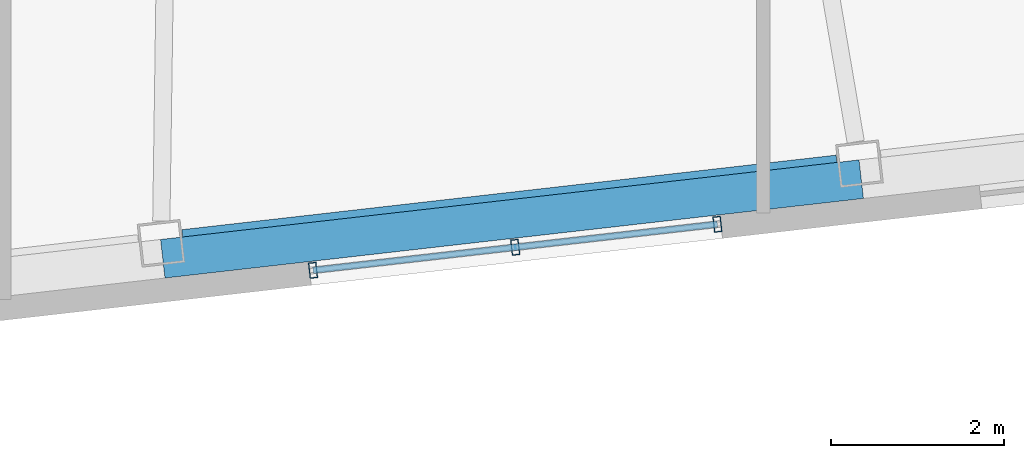
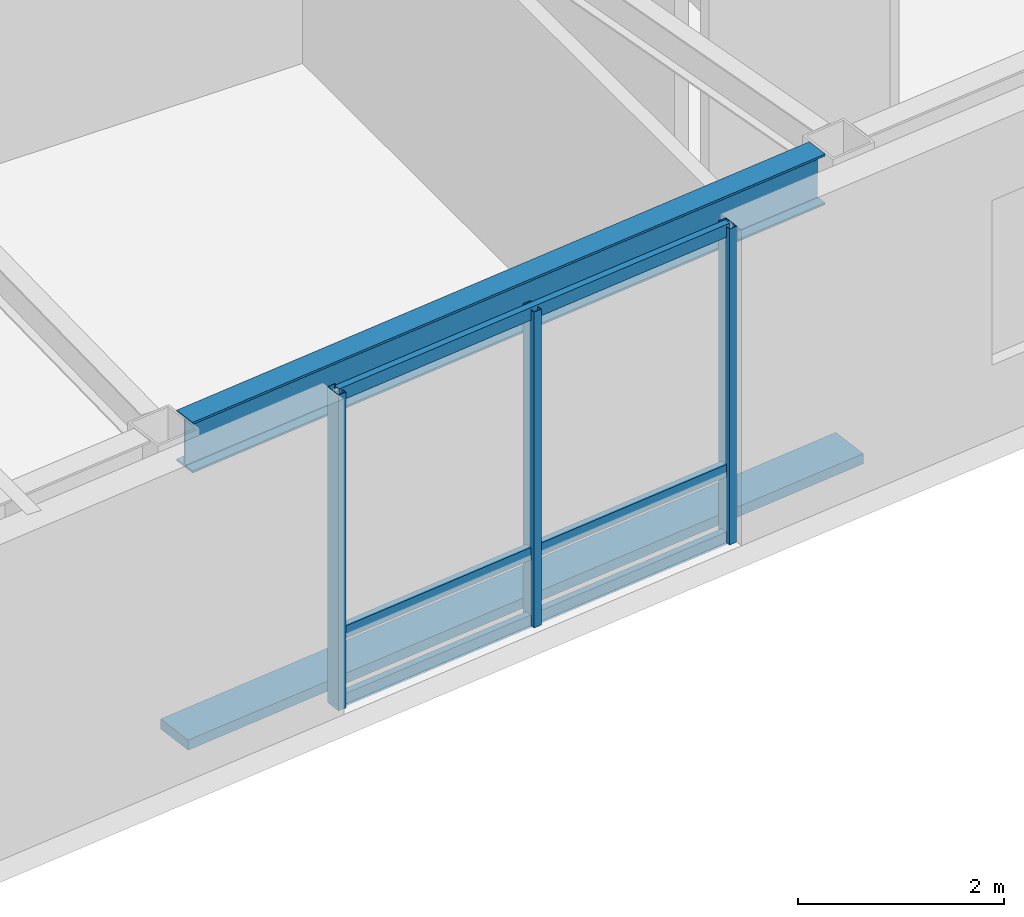
# One storey, part 8 of 21: 7 members, 1 beam, 1 element without a shape of its own.
"""IFC4 building model written with IfcOpenShell, lengths in metres."""

import ifcopenshell
import ifcopenshell.guid

model = None  # the IFC model being written
_history = None  # IfcOwnerHistory: only IFC2X3 demands one
_inside = {}  # id of a spatial element -> (the spatial element, [elements in it])
_under = {}  # id of a project, library or spatial element -> (it, [spatial elements below it])
_declared = {}  # id of a project -> (the project, [libraries it declares])
_typed = {}  # id of a type object -> (the type object, [elements of that type])
_made_of = {}  # id of a material, layer set ... -> (it, [elements and type objects made of it])


def new_model(schema):
    """Start an empty IFC model of exactly this schema.

    Asked for "IFC4X3", IfcOpenShell would pick the latest addendum, in which some entities
    have other attributes; the version numbers below select the first issue.
    IFC2X3 requires an IfcOwnerHistory on every rooted entity: one is made here for all.
    """
    global model, _history
    if schema == "IFC4X3":
        model = ifcopenshell.file(schema_version=(4, 3, 0, 0))
    else:
        model = ifcopenshell.file(schema=schema)
    _inside.clear()
    _under.clear()
    _declared.clear()
    _typed.clear()
    _made_of.clear()
    _history = None
    if model.schema == "IFC2X3":
        org = make("IfcOrganization", Name="unknown")
        user = make(
            "IfcPersonAndOrganization",
            ThePerson=make("IfcPerson", FamilyName="unknown"),
            TheOrganization=org,
        )
        app = make(
            "IfcApplication",
            ApplicationDeveloper=org,
            Version="unknown",
            ApplicationFullName="unknown",
            ApplicationIdentifier="unknown",
        )
        _history = make(
            "IfcOwnerHistory",
            OwningUser=user,
            OwningApplication=app,
            ChangeAction="ADDED",
            CreationDate=0,
        )
    return model


def make(cls, **values):
    """One entity of the class cls with the attributes given. An attribute that is None is left unset."""
    return model.create_entity(
        cls, **{name: value for name, value in values.items() if value is not None}
    )


def rooted(cls, **values):
    """An entity with a GlobalId (a new one), such as an element, a storey or a relation."""
    return make(cls, GlobalId=ifcopenshell.guid.new(), OwnerHistory=_history, **values)


def si_unit(unit_type, name, prefix=None):
    """IfcSIUnit, for example si_unit("LENGTHUNIT", "METRE", prefix="MILLI")."""
    return make("IfcSIUnit", UnitType=unit_type, Prefix=prefix, Name=name)


def assignment(units):
    """IfcUnitAssignment: the units of a project."""
    return None if units is None else make("IfcUnitAssignment", Units=units)


def point(xyz):
    """IfcCartesianPoint."""
    return None if xyz is None else make("IfcCartesianPoint", Coordinates=xyz)


def direction(xyz):
    """IfcDirection."""
    return None if xyz is None else make("IfcDirection", DirectionRatios=xyz)


def frame(location, z_axis=None, x_axis=None):
    """IfcAxis2Placement3D, a coordinate frame: its origin and axes. An axis left out is left unset."""
    return make(
        "IfcAxis2Placement3D",
        Location=point(location),
        Axis=direction(z_axis),
        RefDirection=direction(x_axis),
    )


def frame_2d(location, x_axis=None):
    """IfcAxis2Placement2D, a coordinate frame in the plane: its origin and x axis."""
    return make(
        "IfcAxis2Placement2D", Location=point(location), RefDirection=direction(x_axis)
    )


def origin():
    """The frame at (0, 0, 0) with its axes left unset."""
    return frame((0.0, 0.0, 0.0))


def origin_2d():
    """The frame at (0, 0) in the plane with its x axis left unset."""
    return frame_2d((0.0, 0.0))


def place(relative_to, where):
    """IfcLocalPlacement: puts the frame where relative to a parent placement (None: the world)."""
    return make(
        "IfcLocalPlacement", PlacementRelTo=relative_to, RelativePlacement=where
    )


def context(
    kind, dimensions, precision=None, world=None, true_north=None, identifier=None
):
    """IfcGeometricRepresentationContext, for example the 3D "Model" context."""
    return make(
        "IfcGeometricRepresentationContext",
        ContextIdentifier=identifier,
        ContextType=kind,
        CoordinateSpaceDimension=dimensions,
        Precision=precision,
        WorldCoordinateSystem=world,
        TrueNorth=true_north,
    )


def subcontext(parent, identifier, kind, view, scale=None):
    """IfcGeometricRepresentationSubContext, for example "Body" below "Model"."""
    return make(
        "IfcGeometricRepresentationSubContext",
        ContextIdentifier=identifier,
        ContextType=kind,
        ParentContext=parent,
        TargetScale=scale,
        TargetView=view,
    )


def project(units=None, contexts=None):
    """IfcProject with its units and contexts."""
    return rooted(
        "IfcProject",
        Name="project",
        RepresentationContexts=contexts,
        UnitsInContext=assignment(units),
    )


def spatial(cls, under=None, at=None, **own):
    """A site, building, storey or space (cls), placed at a placement, below another one or the project."""
    s = rooted(cls, ObjectPlacement=at, **own)
    if under is not None:
        _under.setdefault(under.id(), (under, []))[1].append(s)
    return s


def profile(cls, at=None, kind="AREA", **sizes):
    """A parametric profile (cls). Its sizes go by their IFC names, for example OverallWidth=200.0."""
    return make(cls, ProfileType=kind, Position=at, **sizes)


def rectangle(**sizes):
    """IfcRectangleProfileDef."""
    return profile("IfcRectangleProfileDef", **sizes)


def hollow_rectangle(**sizes):
    """IfcRectangleHollowProfileDef."""
    return profile("IfcRectangleHollowProfileDef", **sizes)


def i_section(**sizes):
    """IfcIShapeProfileDef."""
    return profile("IfcIShapeProfileDef", **sizes)


def extrude(swept, where, along, depth):
    """IfcExtrudedAreaSolid: the profile swept, set in the frame where, extruded along a direction by depth."""
    return make(
        "IfcExtrudedAreaSolid",
        SweptArea=swept,
        Position=where,
        ExtrudedDirection=direction(along),
        Depth=depth,
    )


def shape(context_of_items, identifier, shape_type, items):
    """IfcShapeRepresentation: the items that make up one representation, for example the "Body"."""
    return make(
        "IfcShapeRepresentation",
        ContextOfItems=context_of_items,
        RepresentationIdentifier=identifier,
        RepresentationType=shape_type,
        Items=items,
    )


def material(Name=None, Category=None):
    """IfcMaterial."""
    return make("IfcMaterial", Name=Name, Category=Category)


def layer(
    of_material, thickness, ventilated=None, Name=None, Category=None, Priority=None
):
    """IfcMaterialLayer: one layer of a wall or slab, of a material (None: an air gap)."""
    return make(
        "IfcMaterialLayer",
        Material=of_material,
        LayerThickness=thickness,
        IsVentilated=ventilated,
        Name=Name,
        Category=Category,
        Priority=Priority,
    )


def layer_set(layers, Name=None):
    """IfcMaterialLayerSet."""
    return make("IfcMaterialLayerSet", MaterialLayers=layers, LayerSetName=Name)


def material_profile(
    of_material, cross_section, Name=None, Category=None, Priority=None
):
    """IfcMaterialProfile: a cross section and its material."""
    return make(
        "IfcMaterialProfile",
        Name=Name,
        Material=of_material,
        Profile=cross_section,
        Priority=Priority,
        Category=Category,
    )


def profile_set(profiles, Name=None, composite=None):
    """IfcMaterialProfileSet."""
    return make(
        "IfcMaterialProfileSet",
        Name=Name,
        MaterialProfiles=profiles,
        CompositeProfile=composite,
    )


def made_of(thing, what):
    """Note that an element or type object is made of a material, layer set ...; save() writes the relation."""
    if what is not None:
        _made_of.setdefault(what.id(), (what, []))[1].append(thing)
    return thing


def type_object(cls, material=None, **own):
    """A type object (cls), such as IfcWallType, which elements share."""
    return made_of(rooted(cls, **own), material)


def element(
    cls,
    number,
    at=None,
    inside=None,
    cuts=None,
    type_object=None,
    material=None,
    context=None,
    identifier="Body",
    shape_type=None,
    held_by="IfcProductDefinitionShape",
    body=None,
    shapes=None,
    **own,
):
    """One element of the class cls, such as IfcWall. Its Tag is "e" and its number.

    at: its placement. inside: the storey or other place that contains it. cuts: it is an
    opening in that element (IfcRelVoidsElement). A single representation is given by context,
    identifier, shape_type and body (its items); several are given by shapes. held_by: the class
    of the entity that holds the representations. save() writes the other relations.
    """
    e = rooted(cls, Tag="e%d" % number, ObjectPlacement=at, **own)
    if body is not None:
        shapes = [shape(context, identifier, shape_type, body)]
    if shapes is not None:
        e.Representation = make(held_by, Representations=shapes)
    if inside is not None:
        _inside.setdefault(inside.id(), (inside, []))[1].append(e)
    if cuts is not None:
        rooted(
            "IfcRelVoidsElement", RelatingBuildingElement=cuts, RelatedOpeningElement=e
        )
    if type_object is not None:
        _typed.setdefault(type_object.id(), (type_object, []))[1].append(e)
    return made_of(e, material)


def aggregate(whole, parts):
    """IfcRelAggregates: a whole, such as a stair, and the parts it consists of."""
    return rooted("IfcRelAggregates", RelatingObject=whole, RelatedObjects=parts)


def save(model, path):
    """Write the relations noted so far, then the file.

    IfcRelAggregates (storeys below a building ...), IfcRelContainedInSpatialStructure (elements
    in a storey), IfcRelDefinesByType, IfcRelAssociatesMaterial and IfcRelDeclares: one each for
    every whole, place, type object, material and project.
    """
    for whole, parts in _under.values():
        aggregate(whole, parts)
    for where, things in _inside.values():
        rooted(
            "IfcRelContainedInSpatialStructure",
            RelatedElements=things,
            RelatingStructure=where,
        )
    for kind, things in _typed.values():
        rooted("IfcRelDefinesByType", RelatedObjects=things, RelatingType=kind)
    for what, things in _made_of.values():
        rooted("IfcRelAssociatesMaterial", RelatedObjects=things, RelatingMaterial=what)
    for by, libraries in _declared.values():
        rooted("IfcRelDeclares", RelatingContext=by, RelatedDefinitions=libraries)
    model.write(path)


model = new_model("IFC4")

# Units and contexts
model_context = context("Model", 3, precision=1e-05, world=origin(), true_north=direction((0.0, 1.0)))
body_context = subcontext(model_context, "Body", "Model", "MODEL_VIEW")
ifc_project = project(units=[si_unit("LENGTHUNIT", "METRE"), si_unit("AREAUNIT", "SQUARE_METRE"), si_unit("VOLUMEUNIT", "CUBIC_METRE"), si_unit("PLANEANGLEUNIT", "RADIAN"), si_unit("MASSUNIT", "GRAM", prefix="KILO")], contexts=[model_context])

# Site, building, storey
site_placement = place(None, origin())
site = spatial("IfcSite", under=ifc_project, at=site_placement, CompositionType="ELEMENT")
building_placement = place(site_placement, origin())
building = spatial("IfcBuilding", under=site, at=building_placement, Name="Tavrogorsk Clinical Tower", CompositionType="ELEMENT")
storey_placement = place(building_placement, frame((0.0, 0.0, 247.0)))
storey = spatial("IfcBuildingStorey", under=building, at=storey_placement, Name="L57", CompositionType="ELEMENT", Elevation=247.0)

# Member
ifc_material_1 = material(Name="Anodised aluminium alloy AW-6063", Category="aluminium")
ifc_material_profile_1 = material_profile(ifc_material_1, rectangle(XDim=0.449951171875, YDim=0.1201171875, at=origin_2d()), Name="ALU-SUNSHADE-450x120")
ifc_profile_set_1 = profile_set([ifc_material_profile_1], Name="Anodised aluminium alloy AW-6063")
member_type_1 = type_object("IfcMemberType", Name="ChicagoSunshade_450x120", PredefinedType="USERDEFINED", material=ifc_profile_set_1)
member_1_placement = place(storey_placement, frame((4.240478515625, -19.29150390625, 0.179931640625), z_axis=(0.9935729766, 0.113193375116, 0.0), x_axis=(-0.113193375116, 0.9935729766, 0.0)))
element("IfcMember", 1, at=member_1_placement, inside=storey, type_object=member_type_1, Name="L57 South Aluminium Sunshade S5", ObjectType="SUNSHADE", PredefinedType="USERDEFINED", context=body_context, shape_type="SweptSolid", body=[
    extrude(rectangle(XDim=0.449951171875, YDim=0.1201171875, at=origin_2d()), origin(), (0.0, 0.0, 1.0), 8.148681640625),
])

# Curtain wall, members
ifc_material_2 = material(Name="Anodised aluminium and triple IGU glazing", Category="aluminium")
ifc_layer = layer(ifc_material_2, 0.179931640625)
ifc_layer_set = layer_set([ifc_layer], Name="Anodised aluminium and triple IGU glazing")
curtain_wall_type = type_object("IfcCurtainWallType", Name="CW3_SouthSlot", PredefinedType="NOTDEFINED", material=ifc_layer_set)
curtain_wall_placement = place(storey_placement, origin())
curtain_wall = element("IfcCurtainWall", 2, at=curtain_wall_placement, inside=storey, type_object=curtain_wall_type, Name="L57 Curtain Wall CW-L57-S-SLOT-2", PredefinedType="NOTDEFINED")
ifc_material_3 = material(Name="Anodised aluminium alloy AW-6060", Category="aluminium")
ifc_material_profile_2 = material_profile(ifc_material_3, hollow_rectangle(XDim=0.090087890625, YDim=0.179931640625, WallThickness=0.00634765625, at=origin_2d()), Name="RHS-180x90x6.3")
ifc_profile_set_2 = profile_set([ifc_material_profile_2], Name="Anodised aluminium alloy AW-6060")
member_type_2 = type_object("IfcMemberType", Name="CwMullion_180x90", PredefinedType="MULLION", material=ifc_profile_set_2)
member_2_placement = place(storey_placement, frame((5.982177734375, -19.42529296875, 0.0), z_axis=(0.0, 0.0, 1.0), x_axis=(0.993571855603, 0.11320321441, 0.0)))
member_2 = element("IfcMember", 3, at=member_2_placement, type_object=member_type_2, Name="CW-L57-S-SLOT-2 Mullion 1", PredefinedType="MULLION", context=body_context, shape_type="SweptSolid", body=[
    extrude(hollow_rectangle(XDim=0.090087890625, YDim=0.179931640625, WallThickness=0.00634765625, at=origin_2d()), origin(), (0.0, 0.0, 1.0), 3.739990234375),
])
member_3_placement = place(storey_placement, frame((8.325927734375, -19.158203125, 0.0), z_axis=(0.0, 0.0, 1.0), x_axis=(0.993571855603, 0.11320321441, 0.0)))
member_3 = element("IfcMember", 4, at=member_3_placement, type_object=member_type_2, Name="CW-L57-S-SLOT-2 Mullion 2", PredefinedType="MULLION", context=body_context, shape_type="SweptSolid", body=[
    extrude(hollow_rectangle(XDim=0.090087890625, YDim=0.179931640625, WallThickness=0.00634765625, at=origin_2d()), origin(), (0.0, 0.0, 1.0), 3.739990234375),
])
member_4_placement = place(storey_placement, frame((10.669677734375, -18.89111328125, 0.0), z_axis=(0.0, 0.0, 1.0), x_axis=(0.993571855603, 0.11320321441, 0.0)))
member_4 = element("IfcMember", 5, at=member_4_placement, type_object=member_type_2, Name="CW-L57-S-SLOT-2 Mullion 3", PredefinedType="MULLION", context=body_context, shape_type="SweptSolid", body=[
    extrude(hollow_rectangle(XDim=0.090087890625, YDim=0.179931640625, WallThickness=0.00634765625, at=origin_2d()), origin(), (0.0, 0.0, 1.0), 3.739990234375),
])
ifc_material_4 = material(Name="Anodised aluminium alloy AW-6060", Category="aluminium")
ifc_material_profile_3 = material_profile(ifc_material_4, hollow_rectangle(XDim=0.074951171875, YDim=0.14990234375, WallThickness=0.0048828125, at=origin_2d()), Name="RHS-150x75x5")
ifc_profile_set_3 = profile_set([ifc_material_profile_3], Name="Anodised aluminium alloy AW-6060")
member_type_3 = type_object("IfcMemberType", Name="CwTransom_150x75", PredefinedType="USERDEFINED", material=ifc_profile_set_3)
member_5_placement = place(storey_placement, frame((5.982177734375, -19.42529296875, 0.050048828125), z_axis=(0.993569315854, 0.113225503286, 0.0), x_axis=(-0.113225503286, 0.993569315854, 0.0)))
member_5 = element("IfcMember", 6, at=member_5_placement, type_object=member_type_3, Name="CW-L57-S-SLOT-2 Transom 1", ObjectType="TRANSOM", PredefinedType="USERDEFINED", context=body_context, shape_type="SweptSolid", body=[
    extrude(hollow_rectangle(XDim=0.074951171875, YDim=0.14990234375, WallThickness=0.0048828125, at=origin_2d()), origin(), (0.0, 0.0, 1.0), 4.7177734375),
])
member_6_placement = place(storey_placement, frame((5.982177734375, -19.42529296875, 0.85009765625), z_axis=(0.993569315854, 0.113225503286, 0.0), x_axis=(-0.113225503286, 0.993569315854, 0.0)))
member_6 = element("IfcMember", 7, at=member_6_placement, type_object=member_type_3, Name="CW-L57-S-SLOT-2 Transom 2", ObjectType="TRANSOM", PredefinedType="USERDEFINED", context=body_context, shape_type="SweptSolid", body=[
    extrude(hollow_rectangle(XDim=0.074951171875, YDim=0.14990234375, WallThickness=0.0048828125, at=origin_2d()), origin(), (0.0, 0.0, 1.0), 4.7177734375),
])
member_7_placement = place(storey_placement, frame((5.982177734375, -19.42529296875, 3.68994140625), z_axis=(0.993569315854, 0.113225503286, 0.0), x_axis=(-0.113225503286, 0.993569315854, 0.0)))
member_7 = element("IfcMember", 8, at=member_7_placement, type_object=member_type_3, Name="CW-L57-S-SLOT-2 Transom 3", ObjectType="TRANSOM", PredefinedType="USERDEFINED", context=body_context, shape_type="SweptSolid", body=[
    extrude(hollow_rectangle(XDim=0.074951171875, YDim=0.14990234375, WallThickness=0.0048828125, at=origin_2d()), origin(), (0.0, 0.0, 1.0), 4.7177734375),
])
aggregate(curtain_wall, [member_2, member_3, member_4, member_5, member_6, member_7])

# Beam
ifc_material_5 = material(Name="Structural steel S390", Category="steel")
ifc_material_profile_4 = material_profile(ifc_material_5, i_section(OverallWidth=0.260009765625, OverallDepth=0.60009765625, WebThickness=0.014892578125, FlangeThickness=0.02392578125, at=origin_2d()), Name="B-600x260x15x24")
ifc_profile_set_4 = profile_set([ifc_material_profile_4], Name="Structural steel S390")
beam_type = type_object("IfcBeamType", Name="SpandrelBeam_B600", PredefinedType="SPANDREL", material=ifc_profile_set_4)
beam_placement = place(storey_placement, frame((4.476318359375, -19.08349609375, 3.43994140625), z_axis=(0.993572509708, 0.113197473259, 0.0), x_axis=(-0.113197473259, 0.993572509708, 0.0)))
element("IfcBeam", 9, at=beam_placement, inside=storey, type_object=beam_type, Name="L57 Perimeter Spandrel S5-S6", PredefinedType="SPANDREL", context=body_context, shape_type="SweptSolid", body=[
    extrude(i_section(OverallWidth=0.260009765625, OverallDepth=0.60009765625, WebThickness=0.014892578125, FlangeThickness=0.02392578125, at=origin_2d()), origin(), (0.0, 0.0, 1.0), 7.6328125),
])

save(model, "model.ifc")
